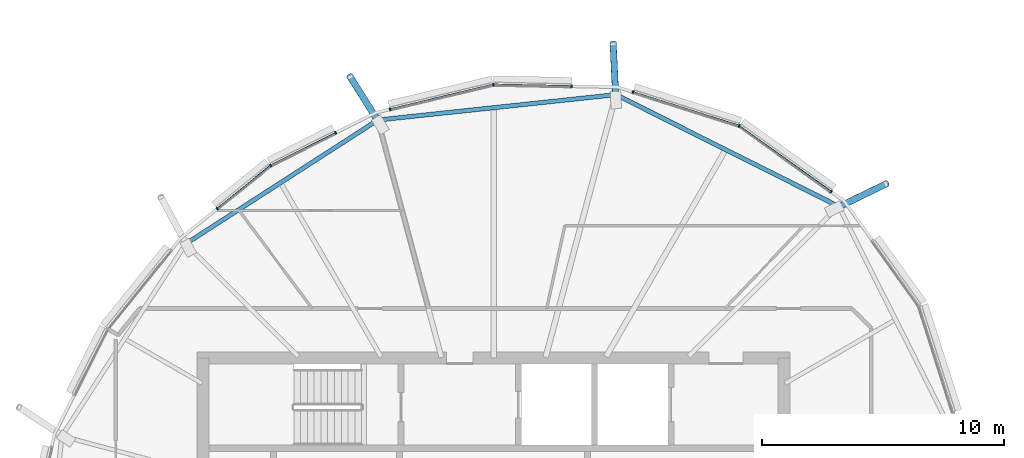
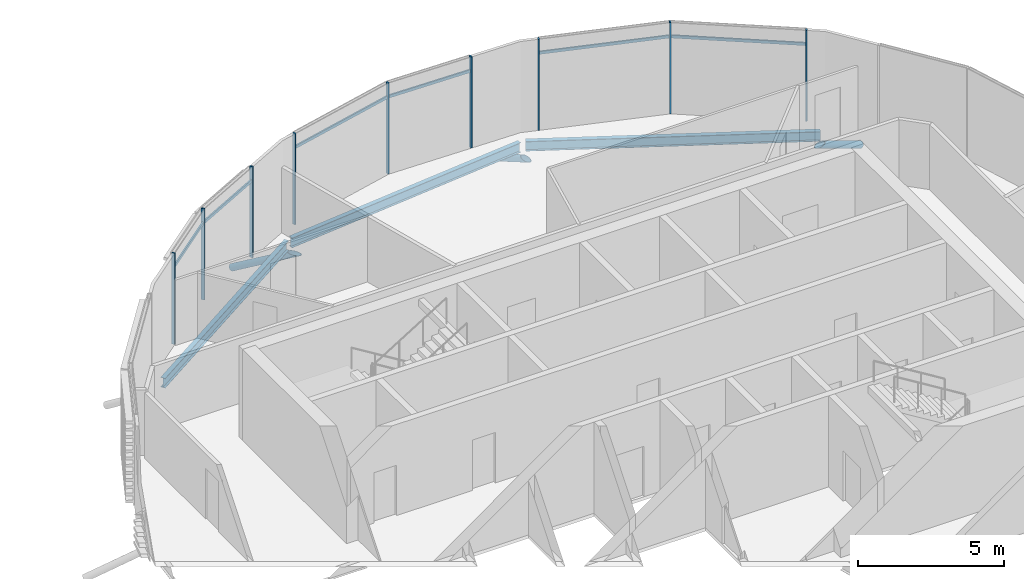
# One storey, part 14 of 33: 18 members, 3 beams, 1 element without a shape of its own.
"""IFC4 building model written with IfcOpenShell, lengths in metres."""

from ifc_helpers import new_model, si_unit, direction, frame, origin, origin_2d, place, context, subcontext, project, spatial, rectangle, hollow_circle, i_section, extrude, clip, halfspace, material, material_profile, profile_set, type_object, element, aggregate, save


model = new_model("IFC4")

# Units and contexts
model_context = context("Model", 3, precision=1e-05, world=origin(), true_north=direction((0.0, 1.0)))
body_context = subcontext(model_context, "Body", "Model", "MODEL_VIEW")
ifc_project = project(units=[si_unit("LENGTHUNIT", "METRE"), si_unit("AREAUNIT", "SQUARE_METRE"), si_unit("VOLUMEUNIT", "CUBIC_METRE"), si_unit("PLANEANGLEUNIT", "RADIAN"), si_unit("MASSUNIT", "GRAM", prefix="KILO")], contexts=[model_context])

# Site, building, storey
site_placement = place(None, origin())
site = spatial("IfcSite", under=ifc_project, at=site_placement, CompositionType="ELEMENT")
building_placement = place(site_placement, origin())
building = spatial("IfcBuilding", under=site, at=building_placement, Name="Rimbun Link Towers", CompositionType="ELEMENT")
storey_placement = place(building_placement, frame((0.0, 0.0, 237.10009765625)))
storey = spatial("IfcBuildingStorey", under=building, at=storey_placement, Name="L58", CompositionType="ELEMENT", Elevation=237.10009765625)

# Curtain wall, members
ifc_material_1 = material(Name="Aluminium 6063-T6 and low-iron glass", Category="aluminium")
curtain_wall_type = type_object("IfcCurtainWallType", Name="CW1-Z4 unitised vision wall (zone 4)", PredefinedType="NOTDEFINED", material=ifc_material_1)
curtain_wall_placement = place(storey_placement, origin())
curtain_wall = element("IfcCurtainWall", 1, at=curtain_wall_placement, inside=storey, type_object=curtain_wall_type, Name="CW1 L58 T2", PredefinedType="NOTDEFINED")
ifc_material_2 = material(Name="Aluminium 6063-T6", Category="aluminium")
ifc_material_profile_1 = material_profile(ifc_material_2, rectangle(XDim=0.1201171875, YDim=0.06005859375, at=origin_2d()), Name="MULLION 60X120")
ifc_profile_set_1 = profile_set([ifc_material_profile_1], Name="Aluminium 6063-T6")
member_type_1 = type_object("IfcMemberType", Name="CW1 mullion 60X120", PredefinedType="MULLION", material=ifc_profile_set_1)
member_1_placement = place(storey_placement, frame((41.903564453125, 17.593505859375, 0.0), z_axis=(0.0, 0.0, 1.0), x_axis=(0.448572222848, 0.893746586505, 0.0)))
member_1 = element("IfcMember", 2, at=member_1_placement, type_object=member_type_1, Name="CW1 mullion", PredefinedType="MULLION", context=body_context, shape_type="SweptSolid", body=[
    extrude(rectangle(XDim=0.1201171875, YDim=0.06005859375, at=origin_2d()), origin(), (0.0, 0.0, 1.0), 3.7998046875),
])
member_2_placement = place(storey_placement, frame((45.69970703125, 14.87060546875, 0.0), z_axis=(0.0, 0.0, 1.0), x_axis=(0.583003243297, 0.812469826089, 0.0)))
member_2 = element("IfcMember", 3, at=member_2_placement, type_object=member_type_1, Name="CW1 mullion", PredefinedType="MULLION", context=body_context, shape_type="SweptSolid", body=[
    extrude(rectangle(XDim=0.1201171875, YDim=0.06005859375, at=origin_2d()), origin(), (0.0, 0.0, 1.0), 3.7998046875),
])
member_3_placement = place(storey_placement, frame((37.513427734375, 18.990478515625, 0.0), z_axis=(0.0, 0.0, 1.0), x_axis=(0.303071511559, 0.952967816288, 0.0)))
member_3 = element("IfcMember", 4, at=member_3_placement, type_object=member_type_1, Name="CW1 mullion", PredefinedType="MULLION", context=body_context, shape_type="SweptSolid", body=[
    extrude(rectangle(XDim=0.1201171875, YDim=0.06005859375, at=origin_2d()), origin(), (0.0, 0.0, 1.0), 3.7998046875),
])
member_4_placement = place(storey_placement, frame((31.74365234375, 19.2978515625, 0.0), z_axis=(0.0, 0.0, 1.0), x_axis=(-0.106640247566, 0.994297670519, 0.0)))
member_4 = element("IfcMember", 5, at=member_4_placement, type_object=member_type_1, Name="CW1 mullion", PredefinedType="MULLION", context=body_context, shape_type="SweptSolid", body=[
    extrude(rectangle(XDim=0.1201171875, YDim=0.06005859375, at=origin_2d()), origin(), (0.0, 0.0, 1.0), 3.7998046875),
])
member_5_placement = place(storey_placement, frame((34.9775390625, 19.230224609375, 0.0), z_axis=(0.0, 0.0, 1.0), x_axis=(0.021064795684, 0.999778112574, 0.0)))
member_5 = element("IfcMember", 6, at=member_5_placement, type_object=member_type_1, Name="CW1 mullion", PredefinedType="MULLION", context=body_context, shape_type="SweptSolid", body=[
    extrude(rectangle(XDim=0.1201171875, YDim=0.06005859375, at=origin_2d()), origin(), (0.0, 0.0, 1.0), 3.7998046875),
])
member_6_placement = place(storey_placement, frame((27.47509765625, 18.277587890625, 0.0), z_axis=(0.0, 0.0, 1.0), x_axis=(-0.23260293703, 0.972571783307, 0.0)))
member_6 = element("IfcMember", 7, at=member_6_placement, type_object=member_type_1, Name="CW1 mullion", PredefinedType="MULLION", context=body_context, shape_type="SweptSolid", body=[
    extrude(rectangle(XDim=0.1201171875, YDim=0.06005859375, at=origin_2d()), origin(), (0.0, 0.0, 1.0), 3.7998046875),
])
member_7_placement = place(storey_placement, frame((22.536376953125, 15.952392578125, 0.0), z_axis=(0.0, 0.0, 1.0), x_axis=(-0.542094623862, 0.840317451193, 0.0)))
member_7 = element("IfcMember", 8, at=member_7_placement, type_object=member_type_1, Name="CW1 mullion", PredefinedType="MULLION", context=body_context, shape_type="SweptSolid", body=[
    extrude(rectangle(XDim=0.1201171875, YDim=0.06005859375, at=origin_2d()), origin(), (0.0, 0.0, 1.0), 3.7998046875),
])
member_8_placement = place(storey_placement, frame((25.225341796875, 17.302978515625, 0.0), z_axis=(0.0, 0.0, 1.0), x_axis=(-0.448779041213, 0.893642754219, 0.0)))
member_8 = element("IfcMember", 9, at=member_8_placement, type_object=member_type_1, Name="CW1 mullion", PredefinedType="MULLION", context=body_context, shape_type="SweptSolid", body=[
    extrude(rectangle(XDim=0.1201171875, YDim=0.06005859375, at=origin_2d()), origin(), (0.0, 0.0, 1.0), 3.7998046875),
])
member_9_placement = place(storey_placement, frame((20.33251953125, 14.1689453125, 0.0), z_axis=(0.0, 0.0, 1.0), x_axis=(-0.629148262313, 0.777285317003, 0.0)))
member_9 = element("IfcMember", 10, at=member_9_placement, type_object=member_type_1, Name="CW1 mullion", PredefinedType="MULLION", context=body_context, shape_type="SweptSolid", body=[
    extrude(rectangle(XDim=0.1201171875, YDim=0.06005859375, at=origin_2d()), origin(), (0.0, 0.0, 1.0), 3.7998046875),
])
ifc_material_3 = material(Name="Aluminium 6063-T6", Category="aluminium")
ifc_material_profile_2 = material_profile(ifc_material_3, rectangle(XDim=0.06005859375, YDim=0.1201171875, at=origin_2d()), Name="TRANSOM 60X120")
ifc_profile_set_2 = profile_set([ifc_material_profile_2], Name="Aluminium 6063-T6")
member_type_2 = type_object("IfcMemberType", Name="CW1 transom 60X120", PredefinedType="USERDEFINED", material=ifc_profile_set_2)
member_10_placement = place(storey_placement, frame((41.934814453125, 17.569580078125, 3.199951171875), z_axis=(0.81247707176, -0.582993145641, 0.0), x_axis=(0.582993145641, 0.81247707176, 0.0)))
member_10 = element("IfcMember", 11, at=member_10_placement, type_object=member_type_2, Name="CW1 transom", ObjectType="TRANSOM", PredefinedType="USERDEFINED", context=body_context, shape_type="SweptSolid", body=[
    extrude(rectangle(XDim=0.06005859375, YDim=0.1201171875, at=origin_2d()), origin(), (0.0, 0.0, 1.0), 4.602294921875),
])
member_11_placement = place(storey_placement, frame((37.54150390625, 18.9794921875, 3.199951171875), z_axis=(0.952966754801, -0.303074849243, 0.0), x_axis=(0.303074849243, 0.952966754801, 0.0)))
member_11 = element("IfcMember", 12, at=member_11_placement, type_object=member_type_2, Name="CW1 transom", ObjectType="TRANSOM", PredefinedType="USERDEFINED", context=body_context, shape_type="SweptSolid", body=[
    extrude(rectangle(XDim=0.06005859375, YDim=0.1201171875, at=origin_2d()), origin(), (0.0, 0.0, 1.0), 4.53759765625),
])
member_12_placement = place(storey_placement, frame((31.78125, 19.295654296875, 3.199951171875), z_axis=(0.999778518214, -0.021045534388, 0.0), x_axis=(0.021045534388, 0.999778518214, 0.0)))
member_12 = element("IfcMember", 13, at=member_12_placement, type_object=member_type_2, Name="CW1 transom", ObjectType="TRANSOM", PredefinedType="USERDEFINED", context=body_context, shape_type="SweptSolid", body=[
    extrude(rectangle(XDim=0.06005859375, YDim=0.1201171875, at=origin_2d()), origin(), (0.0, 0.0, 1.0), 3.1669921875),
])
member_13_placement = place(storey_placement, frame((27.5048828125, 18.28271484375, 3.199951171875), z_axis=(0.972568054955, 0.232618525664, 0.0), x_axis=(-0.232618525664, 0.972568054955, 0.0)))
member_13 = element("IfcMember", 14, at=member_13_placement, type_object=member_type_2, Name="CW1 transom", ObjectType="TRANSOM", PredefinedType="USERDEFINED", context=body_context, shape_type="SweptSolid", body=[
    extrude(rectangle(XDim=0.06005859375, YDim=0.1201171875, at=origin_2d()), origin(), (0.0, 0.0, 1.0), 4.321044921875),
])
member_14_placement = place(storey_placement, frame((22.56982421875, 15.96728515625, 3.199951171875), z_axis=(0.893645933823, 0.448772709688, 0.0), x_axis=(-0.448772709688, 0.893645933823, 0.0)))
member_14 = element("IfcMember", 15, at=member_14_placement, type_object=member_type_2, Name="CW1 transom", ObjectType="TRANSOM", PredefinedType="USERDEFINED", context=body_context, shape_type="SweptSolid", body=[
    extrude(rectangle(XDim=0.06005859375, YDim=0.1201171875, at=origin_2d()), origin(), (0.0, 0.0, 1.0), 2.942626953125),
])
member_15_placement = place(storey_placement, frame((20.357177734375, 14.186279296875, 3.199951171875), z_axis=(0.777285938092, 0.629147494984, 0.0), x_axis=(-0.629147494984, 0.777285938092, 0.0)))
member_15 = element("IfcMember", 16, at=member_15_placement, type_object=member_type_2, Name="CW1 transom", ObjectType="TRANSOM", PredefinedType="USERDEFINED", context=body_context, shape_type="SweptSolid", body=[
    extrude(rectangle(XDim=0.06005859375, YDim=0.1201171875, at=origin_2d()), origin(), (0.0, 0.0, 1.0), 2.768798828125),
])
aggregate(curtain_wall, [member_1, member_2, member_3, member_4, member_5, member_6, member_7, member_8, member_9, member_10, member_11, member_12, member_13, member_14, member_15])

# Members
ifc_material_4 = material(Name="Steel S355J2H", Category="steel")
ifc_material_profile_3 = material_profile(ifc_material_4, hollow_circle(Radius=0.136474609375, WallThickness=0.012451171875, at=origin_2d()), Name="CHS 273x12.5")
ifc_profile_set_3 = profile_set([ifc_material_profile_3], Name="Steel S355J2H")
member_type_3 = type_object("IfcMemberType", Name="Floor edge link CHS 273x12.5", PredefinedType="BRACE", material=ifc_profile_set_3)
member_16_placement = place(storey_placement, frame((45.978271484375, 14.228271484375, -0.711181640625), z_axis=(0.778525714647, 0.377943269307, -0.501055482775), x_axis=(-0.436719028925, 0.899597960077, 0.0)))
element("IfcMember", 17, at=member_16_placement, inside=storey, type_object=member_type_3, Name="Floor edge link T2 L58 00", PredefinedType="BRACE", context=body_context, shape_type="Clipping", body=[
    clip(extrude(hollow_circle(Radius=0.136474609375, WallThickness=0.012451171875, at=origin_2d()), frame((0.0, 0.0, -0.491455078125)), (0.0, 0.0, 1.0), 3.10107421875), halfspace(frame((0.0, 0.0, -0.23095703125), z_axis=(0.0, 0.865415162325, -0.501055482775)), False)),
])
member_17_placement = place(storey_placement, frame((36.79638671875, 18.83349609375, -0.861083984375), z_axis=(-0.042073437781, 0.870842607343, -0.489758082188), x_axis=(-0.99883494298, -0.048257193059, 0.0)))
element("IfcMember", 18, at=member_17_placement, inside=storey, type_object=member_type_3, Name="Floor edge link T2 L58 02", PredefinedType="BRACE", context=body_context, shape_type="Clipping", body=[
    clip(extrude(hollow_circle(Radius=0.136474609375, WallThickness=0.012451171875, at=origin_2d()), frame((0.0, 0.0, -0.506591796875)), (0.0, 0.0, 1.0), 3.02490234375), halfspace(frame((0.0, 0.0, -0.237548828125), z_axis=(0.0, 0.87185837206, -0.489758082188)), False)),
])
member_18_placement = place(storey_placement, frame((26.984619140625, 17.784912109375, -0.791259765625), z_axis=(-0.463488119111, 0.734493023052, -0.495680101003), x_axis=(-0.845697924365, -0.533661897389, 0.0)))
element("IfcMember", 19, at=member_18_placement, inside=storey, type_object=member_type_3, Name="Floor edge link T2 L58 04", PredefinedType="BRACE", context=body_context, shape_type="Clipping", body=[
    clip(extrude(hollow_circle(Radius=0.136474609375, WallThickness=0.012451171875, at=origin_2d()), frame((0.0, 0.0, -0.49853515625)), (0.0, 0.0, 1.0), 3.054443359375), halfspace(frame((0.0, 0.0, -0.234130859375), z_axis=(0.0, 0.868505174118, -0.495680101003)), False)),
])

# Beams
ifc_material_5 = material(Name="Steel S355J2", Category="steel")
ifc_material_profile_4 = material_profile(ifc_material_5, i_section(OverallWidth=0.177978515625, OverallDepth=0.406494140625, WebThickness=0.0078125, FlangeThickness=0.0126953125, at=origin_2d()), Name="UB 406x178x60")
ifc_profile_set_4 = profile_set([ifc_material_profile_4], Name="Steel S355J2")
beam_type = type_object("IfcBeamType", Name="UB 406x178x60", PredefinedType="BEAM", material=ifc_profile_set_4)
beam_1_placement = place(storey_placement, frame((45.92333984375, 14.30908203125, -0.34326171875), z_axis=(-0.893815980097, 0.448433934625, 0.0), x_axis=(-0.448433934625, -0.893815980097, 0.0)))
element("IfcBeam", 20, at=beam_1_placement, inside=storey, type_object=beam_type, Name="Edge beam T2 L58 00-02", PredefinedType="BEAM", context=body_context, shape_type="SweptSolid", body=[
    extrude(i_section(OverallWidth=0.177978515625, OverallDepth=0.406494140625, WebThickness=0.0078125, FlangeThickness=0.0126953125, at=origin_2d()), origin(), (0.0, 0.0, 1.0), 10.07958984375),
])
beam_2_placement = place(storey_placement, frame((36.68701171875, 18.86865234375, -0.34326171875), z_axis=(-0.994367972289, -0.105982714087, 0.0), x_axis=(0.105982714087, -0.994367972289, 0.0)))
element("IfcBeam", 21, at=beam_2_placement, inside=storey, type_object=beam_type, Name="Edge beam T2 L58 02-04", PredefinedType="BEAM", context=body_context, shape_type="SweptSolid", body=[
    extrude(i_section(OverallWidth=0.177978515625, OverallDepth=0.406494140625, WebThickness=0.0078125, FlangeThickness=0.0126953125, at=origin_2d()), origin(), (0.0, 0.0, 1.0), 9.66357421875),
])
beam_3_placement = place(storey_placement, frame((26.87841796875, 17.77294921875, -0.34326171875), z_axis=(-0.84061859569, -0.541627525685, 0.0), x_axis=(0.541627525685, -0.84061859569, 0.0)))
element("IfcBeam", 22, at=beam_3_placement, inside=storey, type_object=beam_type, Name="Edge beam T2 L58 04-06", PredefinedType="BEAM", context=body_context, shape_type="SweptSolid", body=[
    extrude(i_section(OverallWidth=0.177978515625, OverallDepth=0.406494140625, WebThickness=0.0078125, FlangeThickness=0.0126953125, at=origin_2d()), origin(), (0.0, 0.0, 1.0), 9.244873046875),
])

save(model, "model.ifc")
